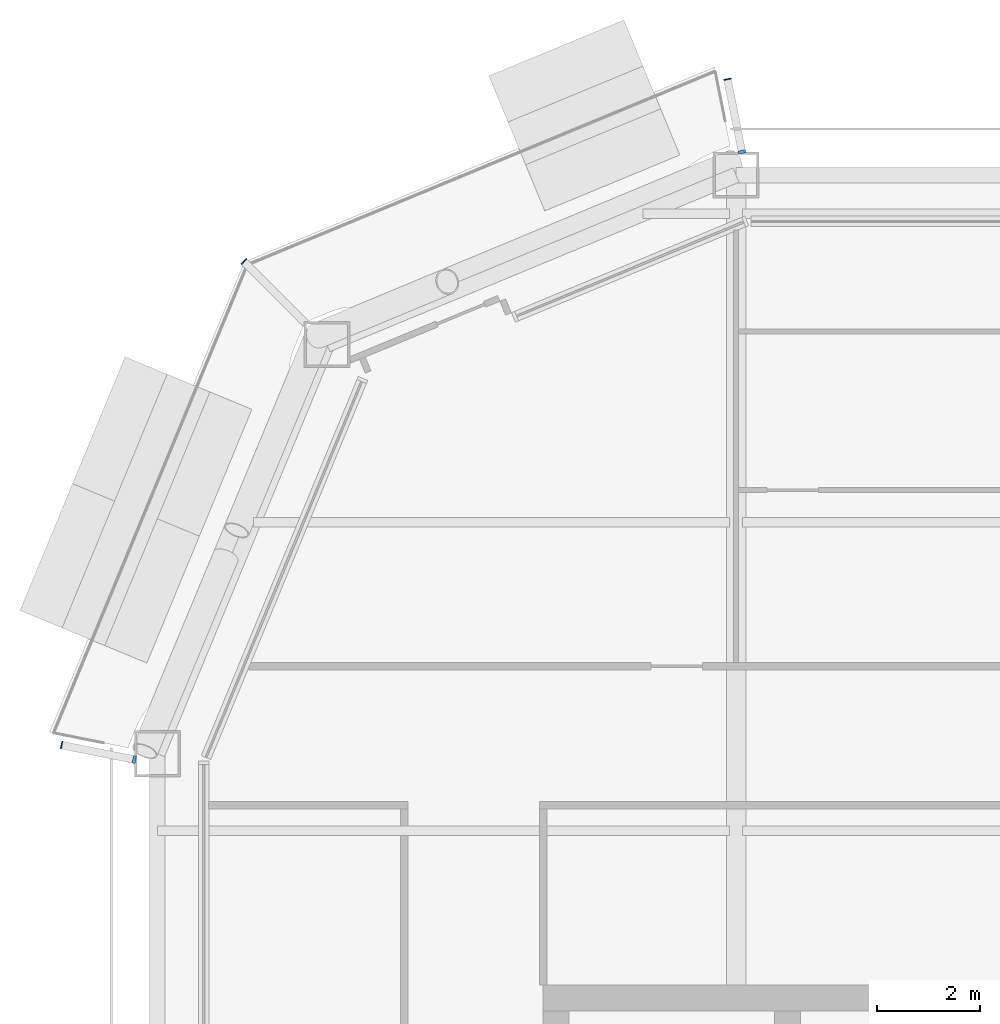
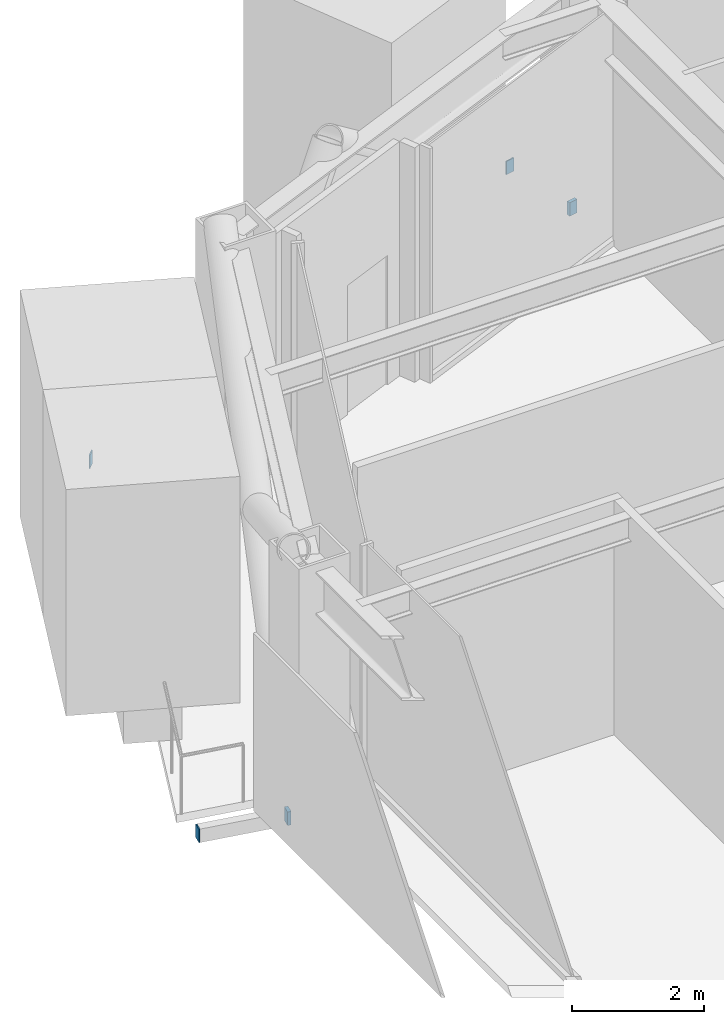
# One storey, part 16 of 23: 5 discrete accessories.
"""IFC4 building model written with IfcOpenShell, lengths in metres."""

import ifcopenshell
import ifcopenshell.guid

model = None  # the IFC model being written
_history = None  # IfcOwnerHistory: only IFC2X3 demands one
_inside = {}  # id of a spatial element -> (the spatial element, [elements in it])
_under = {}  # id of a project, library or spatial element -> (it, [spatial elements below it])
_declared = {}  # id of a project -> (the project, [libraries it declares])
_typed = {}  # id of a type object -> (the type object, [elements of that type])
_made_of = {}  # id of a material, layer set ... -> (it, [elements and type objects made of it])


def new_model(schema):
    """Start an empty IFC model of exactly this schema.

    Asked for "IFC4X3", IfcOpenShell would pick the latest addendum, in which some entities
    have other attributes; the version numbers below select the first issue.
    IFC2X3 requires an IfcOwnerHistory on every rooted entity: one is made here for all.
    """
    global model, _history
    if schema == "IFC4X3":
        model = ifcopenshell.file(schema_version=(4, 3, 0, 0))
    else:
        model = ifcopenshell.file(schema=schema)
    _inside.clear()
    _under.clear()
    _declared.clear()
    _typed.clear()
    _made_of.clear()
    _history = None
    if model.schema == "IFC2X3":
        org = make("IfcOrganization", Name="unknown")
        user = make(
            "IfcPersonAndOrganization",
            ThePerson=make("IfcPerson", FamilyName="unknown"),
            TheOrganization=org,
        )
        app = make(
            "IfcApplication",
            ApplicationDeveloper=org,
            Version="unknown",
            ApplicationFullName="unknown",
            ApplicationIdentifier="unknown",
        )
        _history = make(
            "IfcOwnerHistory",
            OwningUser=user,
            OwningApplication=app,
            ChangeAction="ADDED",
            CreationDate=0,
        )
    return model


def make(cls, **values):
    """One entity of the class cls with the attributes given. An attribute that is None is left unset."""
    return model.create_entity(
        cls, **{name: value for name, value in values.items() if value is not None}
    )


def rooted(cls, **values):
    """An entity with a GlobalId (a new one), such as an element, a storey or a relation."""
    return make(cls, GlobalId=ifcopenshell.guid.new(), OwnerHistory=_history, **values)


def si_unit(unit_type, name, prefix=None):
    """IfcSIUnit, for example si_unit("LENGTHUNIT", "METRE", prefix="MILLI")."""
    return make("IfcSIUnit", UnitType=unit_type, Prefix=prefix, Name=name)


def assignment(units):
    """IfcUnitAssignment: the units of a project."""
    return None if units is None else make("IfcUnitAssignment", Units=units)


def point(xyz):
    """IfcCartesianPoint."""
    return None if xyz is None else make("IfcCartesianPoint", Coordinates=xyz)


def direction(xyz):
    """IfcDirection."""
    return None if xyz is None else make("IfcDirection", DirectionRatios=xyz)


def frame(location, z_axis=None, x_axis=None):
    """IfcAxis2Placement3D, a coordinate frame: its origin and axes. An axis left out is left unset."""
    return make(
        "IfcAxis2Placement3D",
        Location=point(location),
        Axis=direction(z_axis),
        RefDirection=direction(x_axis),
    )


def frame_2d(location, x_axis=None):
    """IfcAxis2Placement2D, a coordinate frame in the plane: its origin and x axis."""
    return make(
        "IfcAxis2Placement2D", Location=point(location), RefDirection=direction(x_axis)
    )


def origin():
    """The frame at (0, 0, 0) with its axes left unset."""
    return frame((0.0, 0.0, 0.0))


def origin_2d():
    """The frame at (0, 0) in the plane with its x axis left unset."""
    return frame_2d((0.0, 0.0))


def place(relative_to, where):
    """IfcLocalPlacement: puts the frame where relative to a parent placement (None: the world)."""
    return make(
        "IfcLocalPlacement", PlacementRelTo=relative_to, RelativePlacement=where
    )


def context(
    kind, dimensions, precision=None, world=None, true_north=None, identifier=None
):
    """IfcGeometricRepresentationContext, for example the 3D "Model" context."""
    return make(
        "IfcGeometricRepresentationContext",
        ContextIdentifier=identifier,
        ContextType=kind,
        CoordinateSpaceDimension=dimensions,
        Precision=precision,
        WorldCoordinateSystem=world,
        TrueNorth=true_north,
    )


def subcontext(parent, identifier, kind, view, scale=None):
    """IfcGeometricRepresentationSubContext, for example "Body" below "Model"."""
    return make(
        "IfcGeometricRepresentationSubContext",
        ContextIdentifier=identifier,
        ContextType=kind,
        ParentContext=parent,
        TargetScale=scale,
        TargetView=view,
    )


def project(units=None, contexts=None):
    """IfcProject with its units and contexts."""
    return rooted(
        "IfcProject",
        Name="project",
        RepresentationContexts=contexts,
        UnitsInContext=assignment(units),
    )


def spatial(cls, under=None, at=None, **own):
    """A site, building, storey or space (cls), placed at a placement, below another one or the project."""
    s = rooted(cls, ObjectPlacement=at, **own)
    if under is not None:
        _under.setdefault(under.id(), (under, []))[1].append(s)
    return s


def profile(cls, at=None, kind="AREA", **sizes):
    """A parametric profile (cls). Its sizes go by their IFC names, for example OverallWidth=200.0."""
    return make(cls, ProfileType=kind, Position=at, **sizes)


def rectangle(**sizes):
    """IfcRectangleProfileDef."""
    return profile("IfcRectangleProfileDef", **sizes)


def extrude(swept, where, along, depth):
    """IfcExtrudedAreaSolid: the profile swept, set in the frame where, extruded along a direction by depth."""
    return make(
        "IfcExtrudedAreaSolid",
        SweptArea=swept,
        Position=where,
        ExtrudedDirection=direction(along),
        Depth=depth,
    )


def shape(context_of_items, identifier, shape_type, items):
    """IfcShapeRepresentation: the items that make up one representation, for example the "Body"."""
    return make(
        "IfcShapeRepresentation",
        ContextOfItems=context_of_items,
        RepresentationIdentifier=identifier,
        RepresentationType=shape_type,
        Items=items,
    )


def material(Name=None, Category=None):
    """IfcMaterial."""
    return make("IfcMaterial", Name=Name, Category=Category)


def layer(
    of_material, thickness, ventilated=None, Name=None, Category=None, Priority=None
):
    """IfcMaterialLayer: one layer of a wall or slab, of a material (None: an air gap)."""
    return make(
        "IfcMaterialLayer",
        Material=of_material,
        LayerThickness=thickness,
        IsVentilated=ventilated,
        Name=Name,
        Category=Category,
        Priority=Priority,
    )


def layer_set(layers, Name=None):
    """IfcMaterialLayerSet."""
    return make("IfcMaterialLayerSet", MaterialLayers=layers, LayerSetName=Name)


def made_of(thing, what):
    """Note that an element or type object is made of a material, layer set ...; save() writes the relation."""
    if what is not None:
        _made_of.setdefault(what.id(), (what, []))[1].append(thing)
    return thing


def type_object(cls, material=None, **own):
    """A type object (cls), such as IfcWallType, which elements share."""
    return made_of(rooted(cls, **own), material)


def element(
    cls,
    number,
    at=None,
    inside=None,
    cuts=None,
    type_object=None,
    material=None,
    context=None,
    identifier="Body",
    shape_type=None,
    held_by="IfcProductDefinitionShape",
    body=None,
    shapes=None,
    **own,
):
    """One element of the class cls, such as IfcWall. Its Tag is "e" and its number.

    at: its placement. inside: the storey or other place that contains it. cuts: it is an
    opening in that element (IfcRelVoidsElement). A single representation is given by context,
    identifier, shape_type and body (its items); several are given by shapes. held_by: the class
    of the entity that holds the representations. save() writes the other relations.
    """
    e = rooted(cls, Tag="e%d" % number, ObjectPlacement=at, **own)
    if body is not None:
        shapes = [shape(context, identifier, shape_type, body)]
    if shapes is not None:
        e.Representation = make(held_by, Representations=shapes)
    if inside is not None:
        _inside.setdefault(inside.id(), (inside, []))[1].append(e)
    if cuts is not None:
        rooted(
            "IfcRelVoidsElement", RelatingBuildingElement=cuts, RelatedOpeningElement=e
        )
    if type_object is not None:
        _typed.setdefault(type_object.id(), (type_object, []))[1].append(e)
    return made_of(e, material)


def aggregate(whole, parts):
    """IfcRelAggregates: a whole, such as a stair, and the parts it consists of."""
    return rooted("IfcRelAggregates", RelatingObject=whole, RelatedObjects=parts)


def save(model, path):
    """Write the relations noted so far, then the file.

    IfcRelAggregates (storeys below a building ...), IfcRelContainedInSpatialStructure (elements
    in a storey), IfcRelDefinesByType, IfcRelAssociatesMaterial and IfcRelDeclares: one each for
    every whole, place, type object, material and project.
    """
    for whole, parts in _under.values():
        aggregate(whole, parts)
    for where, things in _inside.values():
        rooted(
            "IfcRelContainedInSpatialStructure",
            RelatedElements=things,
            RelatingStructure=where,
        )
    for kind, things in _typed.values():
        rooted("IfcRelDefinesByType", RelatedObjects=things, RelatingType=kind)
    for what, things in _made_of.values():
        rooted("IfcRelAssociatesMaterial", RelatedObjects=things, RelatingMaterial=what)
    for by, libraries in _declared.values():
        rooted("IfcRelDeclares", RelatingContext=by, RelatedDefinitions=libraries)
    model.write(path)


model = new_model("IFC4")

# Units and contexts
model_context = context("Model", 3, precision=1e-05, world=origin(), true_north=direction((0.0, 1.0)))
body_context = subcontext(model_context, "Body", "Model", "MODEL_VIEW")
ifc_project = project(units=[si_unit("LENGTHUNIT", "METRE"), si_unit("AREAUNIT", "SQUARE_METRE"), si_unit("VOLUMEUNIT", "CUBIC_METRE"), si_unit("PLANEANGLEUNIT", "RADIAN"), si_unit("MASSUNIT", "GRAM", prefix="KILO")], contexts=[model_context])

# Site, building, storey
site_placement = place(None, origin())
site = spatial("IfcSite", under=ifc_project, at=site_placement, CompositionType="ELEMENT")
building_placement = place(site_placement, origin())
building = spatial("IfcBuilding", under=site, at=building_placement, Name="Siwar Civic Tower", CompositionType="ELEMENT")
storey_placement = place(building_placement, frame((0.0, 0.0, 154.199951171875)))
storey = spatial("IfcBuildingStorey", under=building, at=storey_placement, Name="L33", CompositionType="ELEMENT", Elevation=154.199951171875)

# Discrete accessories
ifc_material_1 = material(Name="Stainless steel 316", Category="steel")
discrete_accessory_type_1 = type_object("IfcDiscreteAccessoryType", Name="ENV-BRACKET", PredefinedType="BRACKET", material=ifc_material_1)
for number, where, z_axis, x_axis, name in (
    (1, (-17.885498046875, 29.699951171875, -0.39990234375), (0.0, 0.0, 1.0), (-0.195090322016, 0.980785280403, 0.0), "Bracket balcony cantilever beam NW 1"),
    (2, (-29.699951171875, 17.885498046875, -0.39990234375), (0.0, 0.0, 1.0), (-0.980785280403, 0.195090322016, 0.0), "Bracket balcony cantilever beam NW 3"),
):
    element("IfcDiscreteAccessory", number, at=place(storey_placement, frame(where, z_axis=z_axis, x_axis=x_axis)), inside=storey, type_object=discrete_accessory_type_1, Name=name, PredefinedType="BRACKET", context=body_context, shape_type="SweptSolid", body=[
        extrude(rectangle(XDim=0.06005859375, YDim=0.14990234375, at=origin_2d()), origin(), (0.0, 0.0, 1.0), 0.25),
    ])
ifc_material_2 = material(Name="Steel S355", Category="steel")
ifc_layer = layer(ifc_material_2, 0.02001953125)
ifc_layer_set = layer_set([ifc_layer], Name="Steel S355")
discrete_accessory_type_2 = type_object("IfcDiscreteAccessoryType", Name="STR-END-CAP", PredefinedType="USERDEFINED", material=ifc_layer_set)
for number, where, z_axis, x_axis, name in (
    (3, (-18.1669921875, 31.114501953125, -0.39990234375), (0.0, 0.0, 1.0), (-0.195090321965, 0.980785280413, 0.0), "End cap plate Balcony cantilever beam NW 1"),
    (4, (-27.5693359375, 27.5693359375, -0.39990234375), (0.0, 0.0, 1.0), (-0.707106781187, 0.707106781187, 0.0), "End cap plate Balcony cantilever beam NW 2"),
    (5, (-31.114501953125, 18.1669921875, -0.39990234375), (0.0, 0.0, 1.0), (-0.980785280413, 0.195090321965, 0.0), "End cap plate Balcony cantilever beam NW 3"),
):
    element("IfcDiscreteAccessory", number, at=place(storey_placement, frame(where, z_axis=z_axis, x_axis=x_axis)), inside=storey, type_object=discrete_accessory_type_2, Name=name, ObjectType="END CAP PLATE", PredefinedType="USERDEFINED", context=body_context, shape_type="SweptSolid", body=[
        extrude(rectangle(XDim=0.02001953125, YDim=0.14990234375, at=origin_2d()), origin(), (0.0, 0.0, 1.0), 0.25),
    ])

save(model, "model.ifc")
